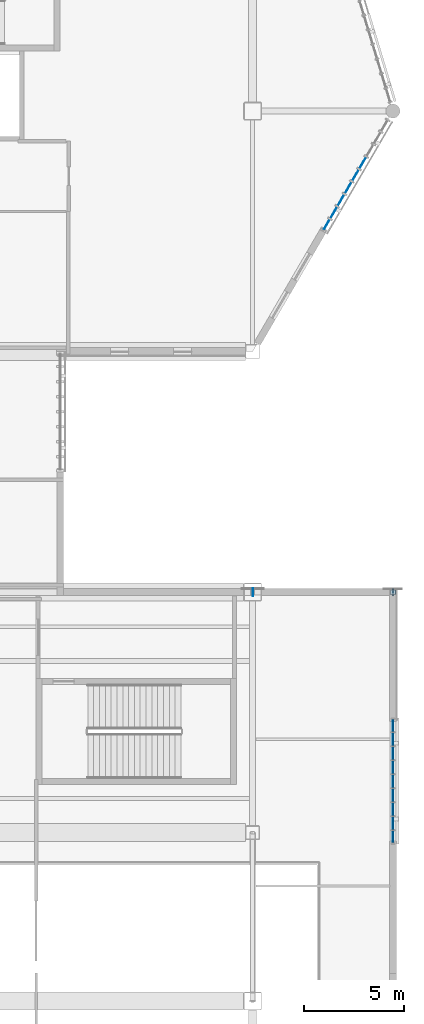
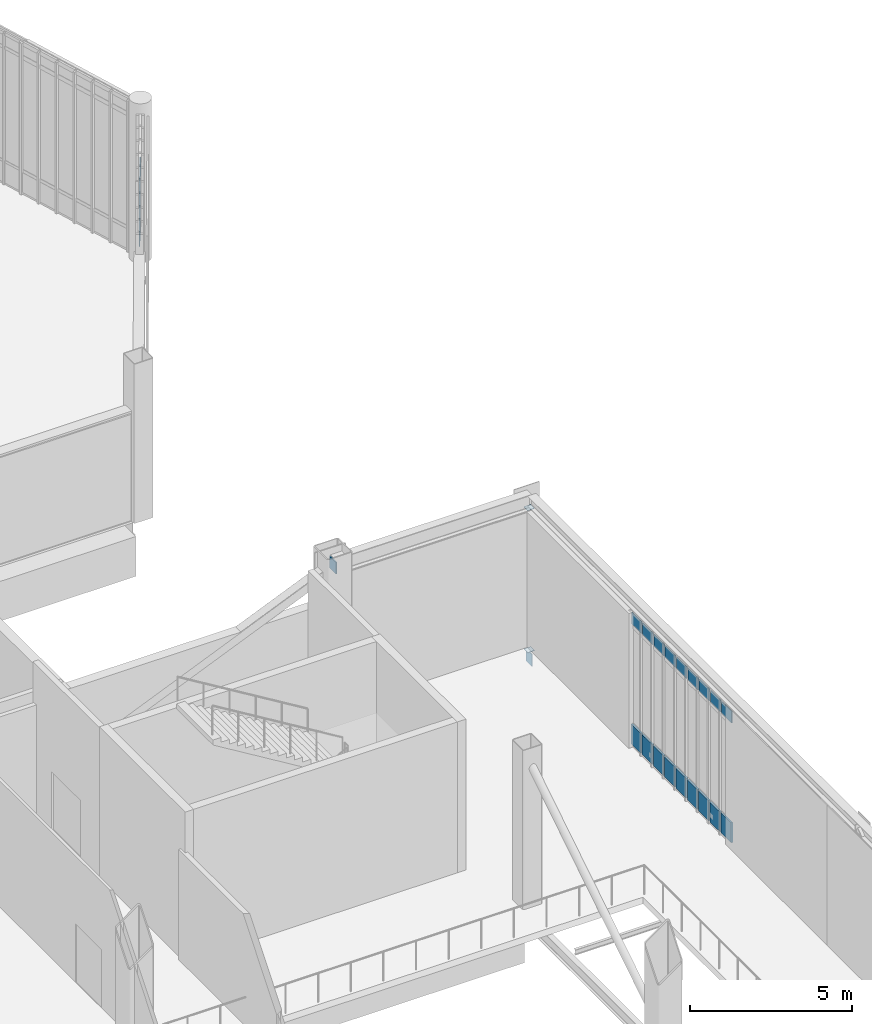
# One storey, part 104 of 135: 28 plates, 2 elements without a shape of their own.
"""IFC4 building model written with IfcOpenShell, lengths in metres."""

from ifc_helpers import new_model, si_unit, direction, frame, origin, origin_2d, place, context, subcontext, project, spatial, rectangle, extrude, material, layer, layer_set, type_object, element, aggregate, save


model = new_model("IFC4")

# Units and contexts
model_context = context("Model", 3, precision=1e-05, world=origin(), true_north=direction((0.0, 1.0)))
body_context = subcontext(model_context, "Body", "Model", "MODEL_VIEW")
ifc_project = project(units=[si_unit("LENGTHUNIT", "METRE"), si_unit("AREAUNIT", "SQUARE_METRE"), si_unit("VOLUMEUNIT", "CUBIC_METRE"), si_unit("PLANEANGLEUNIT", "RADIAN"), si_unit("MASSUNIT", "GRAM", prefix="KILO")], contexts=[model_context])

# Site, building, storey
site_placement = place(None, origin())
site = spatial("IfcSite", under=ifc_project, at=site_placement, CompositionType="ELEMENT")
building_placement = place(site_placement, origin())
building = spatial("IfcBuilding", under=site, at=building_placement, Name="Larkvane Passage Sports Hall", CompositionType="ELEMENT")
storey_placement = place(building_placement, frame((0.0, 0.0, 10.800048828125)))
storey = spatial("IfcBuildingStorey", under=building, at=storey_placement, Name="L02", CompositionType="ELEMENT", Elevation=10.800048828125)

# Curtain wall, plates
ifc_material_1 = material(Name="Thermally broken aluminium and low-E glazing", Category="aluminium")
curtain_wall_type_1 = type_object("IfcCurtainWallType", Name="CW-UNIT-COURT", PredefinedType="USERDEFINED", material=ifc_material_1)
curtain_wall_1_placement = place(storey_placement, origin())
curtain_wall_1 = element("IfcCurtainWall", 1, at=curtain_wall_1_placement, inside=storey, type_object=curtain_wall_type_1, Name="Curtain wall CW5-L02-072", ObjectType="UNITISED CURTAIN WALL", PredefinedType="USERDEFINED")
ifc_material_2 = material(Name="Insulated aluminium spandrel panel", Category="aluminium")
ifc_layer_1 = layer(ifc_material_2, 0.06494140625)
ifc_layer_set_1 = layer_set([ifc_layer_1], Name="Insulated aluminium spandrel panel")
plate_type_1 = type_object("IfcPlateType", Name="CWP-SPD-65", PredefinedType="CURTAIN_PANEL", material=ifc_layer_set_1)
plate_1_placement = place(storey_placement, frame((152.60009765625, 44.94873046875, 0.06494140625), z_axis=(0.0, 0.0, 1.0), x_axis=(0.0, -1.0, 0.0)))
plate_1 = element("IfcPlate", 2, at=plate_1_placement, type_object=plate_type_1, Name="CW-01 panel 1.1", PredefinedType="CURTAIN_PANEL", context=body_context, shape_type="SweptSolid", body=[
    extrude(rectangle(XDim=0.600830078125, YDim=0.06494140625, at=origin_2d()), origin(), (0.0, 0.0, 1.0), 0.75244140625),
])
plate_2_placement = place(storey_placement, frame((152.60009765625, 44.2666015625, 0.06494140625), z_axis=(0.0, 0.0, 1.0), x_axis=(0.0, -1.0, 0.0)))
plate_2 = element("IfcPlate", 3, at=plate_2_placement, type_object=plate_type_1, Name="CW-01 panel 2.1", PredefinedType="CURTAIN_PANEL", context=body_context, shape_type="SweptSolid", body=[
    extrude(rectangle(XDim=0.63330078125, YDim=0.06494140625, at=origin_2d()), origin(), (0.0, 0.0, 1.0), 0.75244140625),
])
plate_3_placement = place(storey_placement, frame((152.60009765625, 43.568359375, 0.06494140625), z_axis=(0.0, 0.0, 1.0), x_axis=(0.0, -1.0, 0.0)))
plate_3 = element("IfcPlate", 4, at=plate_3_placement, type_object=plate_type_1, Name="CW-01 panel 3.1", PredefinedType="CURTAIN_PANEL", context=body_context, shape_type="SweptSolid", body=[
    extrude(rectangle(XDim=0.63330078125, YDim=0.06494140625, at=origin_2d()), origin(), (0.0, 0.0, 1.0), 0.75244140625),
])
plate_4_placement = place(storey_placement, frame((152.60009765625, 42.869873046875, 0.06494140625), z_axis=(0.0, 0.0, 1.0), x_axis=(0.0, -1.0, 0.0)))
plate_4 = element("IfcPlate", 5, at=plate_4_placement, type_object=plate_type_1, Name="CW-01 panel 4.1", PredefinedType="CURTAIN_PANEL", context=body_context, shape_type="SweptSolid", body=[
    extrude(rectangle(XDim=0.63330078125, YDim=0.06494140625, at=origin_2d()), origin(), (0.0, 0.0, 1.0), 0.75244140625),
])
plate_5_placement = place(storey_placement, frame((152.60009765625, 42.17138671875, 0.06494140625), z_axis=(0.0, 0.0, 1.0), x_axis=(0.0, -1.0, 0.0)))
plate_5 = element("IfcPlate", 6, at=plate_5_placement, type_object=plate_type_1, Name="CW-01 panel 5.1", PredefinedType="CURTAIN_PANEL", context=body_context, shape_type="SweptSolid", body=[
    extrude(rectangle(XDim=0.63330078125, YDim=0.06494140625, at=origin_2d()), origin(), (0.0, 0.0, 1.0), 0.75244140625),
])
plate_6_placement = place(storey_placement, frame((152.60009765625, 41.47314453125, 0.06494140625), z_axis=(0.0, 0.0, 1.0), x_axis=(0.0, -1.0, 0.0)))
plate_6 = element("IfcPlate", 7, at=plate_6_placement, type_object=plate_type_1, Name="CW-01 panel 6.1", PredefinedType="CURTAIN_PANEL", context=body_context, shape_type="SweptSolid", body=[
    extrude(rectangle(XDim=0.63330078125, YDim=0.06494140625, at=origin_2d()), origin(), (0.0, 0.0, 1.0), 0.75244140625),
])
plate_7_placement = place(storey_placement, frame((152.60009765625, 40.774658203125, 0.06494140625), z_axis=(0.0, 0.0, 1.0), x_axis=(0.0, -1.0, 0.0)))
plate_7 = element("IfcPlate", 8, at=plate_7_placement, type_object=plate_type_1, Name="CW-01 panel 7.1", PredefinedType="CURTAIN_PANEL", context=body_context, shape_type="SweptSolid", body=[
    extrude(rectangle(XDim=0.63330078125, YDim=0.06494140625, at=origin_2d()), origin(), (0.0, 0.0, 1.0), 0.75244140625),
])
plate_8_placement = place(storey_placement, frame((152.60009765625, 40.076171875, 0.06494140625), z_axis=(0.0, 0.0, 1.0), x_axis=(0.0, -1.0, 0.0)))
plate_8 = element("IfcPlate", 9, at=plate_8_placement, type_object=plate_type_1, Name="CW-01 panel 8.1", PredefinedType="CURTAIN_PANEL", context=body_context, shape_type="SweptSolid", body=[
    extrude(rectangle(XDim=0.63330078125, YDim=0.06494140625, at=origin_2d()), origin(), (0.0, 0.0, 1.0), 0.75244140625),
])
plate_9_placement = place(storey_placement, frame((152.60009765625, 39.39404296875, 0.06494140625), z_axis=(0.0, 0.0, 1.0), x_axis=(0.0, -1.0, 0.0)))
plate_9 = element("IfcPlate", 10, at=plate_9_placement, type_object=plate_type_1, Name="CW-01 panel 9.1", PredefinedType="CURTAIN_PANEL", context=body_context, shape_type="SweptSolid", body=[
    extrude(rectangle(XDim=0.600830078125, YDim=0.06494140625, at=origin_2d()), origin(), (0.0, 0.0, 1.0), 0.75244140625),
])
ifc_material_3 = material(Name="Solar-control low-E double glazing", Category="glass")
ifc_layer_2 = layer(ifc_material_3, 0.028076171875)
ifc_layer_set_2 = layer_set([ifc_layer_2], Name="Solar-control low-E double glazing")
plate_type_2 = type_object("IfcPlateType", Name="CWP-VIS-28", PredefinedType="CURTAIN_PANEL", material=ifc_layer_set_2)
plate_10_placement = place(storey_placement, frame((152.60009765625, 44.94873046875, 4.5625), z_axis=(0.0, 0.0, 1.0), x_axis=(0.0, -1.0, 0.0)))
plate_10 = element("IfcPlate", 11, at=plate_10_placement, type_object=plate_type_2, Name="CW-01 panel 1.3", PredefinedType="CURTAIN_PANEL", context=body_context, shape_type="SweptSolid", body=[
    extrude(rectangle(XDim=0.600830078125, YDim=0.028076171875, at=origin_2d()), origin(), (0.0, 0.0, 1.0), 0.452392578125),
])
plate_11_placement = place(storey_placement, frame((152.60009765625, 44.2666015625, 4.5625), z_axis=(0.0, 0.0, 1.0), x_axis=(0.0, -1.0, 0.0)))
plate_11 = element("IfcPlate", 12, at=plate_11_placement, type_object=plate_type_2, Name="CW-01 panel 2.3", PredefinedType="CURTAIN_PANEL", context=body_context, shape_type="SweptSolid", body=[
    extrude(rectangle(XDim=0.63330078125, YDim=0.028076171875, at=origin_2d()), origin(), (0.0, 0.0, 1.0), 0.452392578125),
])
plate_12_placement = place(storey_placement, frame((152.60009765625, 43.568359375, 4.5625), z_axis=(0.0, 0.0, 1.0), x_axis=(0.0, -1.0, 0.0)))
plate_12 = element("IfcPlate", 13, at=plate_12_placement, type_object=plate_type_2, Name="CW-01 panel 3.3", PredefinedType="CURTAIN_PANEL", context=body_context, shape_type="SweptSolid", body=[
    extrude(rectangle(XDim=0.63330078125, YDim=0.028076171875, at=origin_2d()), origin(), (0.0, 0.0, 1.0), 0.452392578125),
])
plate_13_placement = place(storey_placement, frame((152.60009765625, 42.869873046875, 4.5625), z_axis=(0.0, 0.0, 1.0), x_axis=(0.0, -1.0, 0.0)))
plate_13 = element("IfcPlate", 14, at=plate_13_placement, type_object=plate_type_2, Name="CW-01 panel 4.3", PredefinedType="CURTAIN_PANEL", context=body_context, shape_type="SweptSolid", body=[
    extrude(rectangle(XDim=0.63330078125, YDim=0.028076171875, at=origin_2d()), origin(), (0.0, 0.0, 1.0), 0.452392578125),
])
plate_14_placement = place(storey_placement, frame((152.60009765625, 42.17138671875, 4.5625), z_axis=(0.0, 0.0, 1.0), x_axis=(0.0, -1.0, 0.0)))
plate_14 = element("IfcPlate", 15, at=plate_14_placement, type_object=plate_type_2, Name="CW-01 panel 5.3", PredefinedType="CURTAIN_PANEL", context=body_context, shape_type="SweptSolid", body=[
    extrude(rectangle(XDim=0.63330078125, YDim=0.028076171875, at=origin_2d()), origin(), (0.0, 0.0, 1.0), 0.452392578125),
])
plate_15_placement = place(storey_placement, frame((152.60009765625, 41.47314453125, 4.5625), z_axis=(0.0, 0.0, 1.0), x_axis=(0.0, -1.0, 0.0)))
plate_15 = element("IfcPlate", 16, at=plate_15_placement, type_object=plate_type_2, Name="CW-01 panel 6.3", PredefinedType="CURTAIN_PANEL", context=body_context, shape_type="SweptSolid", body=[
    extrude(rectangle(XDim=0.63330078125, YDim=0.028076171875, at=origin_2d()), origin(), (0.0, 0.0, 1.0), 0.452392578125),
])
plate_16_placement = place(storey_placement, frame((152.60009765625, 40.774658203125, 4.5625), z_axis=(0.0, 0.0, 1.0), x_axis=(0.0, -1.0, 0.0)))
plate_16 = element("IfcPlate", 17, at=plate_16_placement, type_object=plate_type_2, Name="CW-01 panel 7.3", PredefinedType="CURTAIN_PANEL", context=body_context, shape_type="SweptSolid", body=[
    extrude(rectangle(XDim=0.63330078125, YDim=0.028076171875, at=origin_2d()), origin(), (0.0, 0.0, 1.0), 0.452392578125),
])
plate_17_placement = place(storey_placement, frame((152.60009765625, 40.076171875, 4.5625), z_axis=(0.0, 0.0, 1.0), x_axis=(0.0, -1.0, 0.0)))
plate_17 = element("IfcPlate", 18, at=plate_17_placement, type_object=plate_type_2, Name="CW-01 panel 8.3", PredefinedType="CURTAIN_PANEL", context=body_context, shape_type="SweptSolid", body=[
    extrude(rectangle(XDim=0.63330078125, YDim=0.028076171875, at=origin_2d()), origin(), (0.0, 0.0, 1.0), 0.452392578125),
])
plate_18_placement = place(storey_placement, frame((152.60009765625, 39.39404296875, 4.5625), z_axis=(0.0, 0.0, 1.0), x_axis=(0.0, -1.0, 0.0)))
plate_18 = element("IfcPlate", 19, at=plate_18_placement, type_object=plate_type_2, Name="CW-01 panel 9.3", PredefinedType="CURTAIN_PANEL", context=body_context, shape_type="SweptSolid", body=[
    extrude(rectangle(XDim=0.600830078125, YDim=0.028076171875, at=origin_2d()), origin(), (0.0, 0.0, 1.0), 0.452392578125),
])
aggregate(curtain_wall_1, [plate_1, plate_10, plate_2, plate_11, plate_3, plate_12, plate_4, plate_13, plate_5, plate_14, plate_6, plate_15, plate_7, plate_16, plate_8, plate_17, plate_9, plate_18])

curtain_wall_type_2 = type_object("IfcCurtainWallType", Name="CW-STICK-FOYER", PredefinedType="USERDEFINED", material=ifc_material_1)
curtain_wall_2_placement = place(storey_placement, origin())
curtain_wall_2 = element("IfcCurtainWall", 20, at=curtain_wall_2_placement, inside=storey, type_object=curtain_wall_type_2, Name="Curtain wall CW5-L02-070", ObjectType="STICK CURTAIN WALL", PredefinedType="USERDEFINED")
ifc_material_4 = material(Name="High-impact court low-E glazing", Category="glass")
ifc_layer_3 = layer(ifc_material_4, 0.035888671875)
ifc_layer_set_3 = layer_set([ifc_layer_3], Name="High-impact court low-E glazing")
plate_type_3 = type_object("IfcPlateType", Name="CWP-VIS-36", PredefinedType="CURTAIN_PANEL", material=ifc_layer_set_3)
plate_19_placement = place(storey_placement, frame((151.0927734375, 73.01611328125, 5.18994140625), z_axis=(0.0, 0.0, 1.0), x_axis=(-0.503867182467, -0.86378114267, 0.0)))
plate_19 = element("IfcPlate", 21, at=plate_19_placement, type_object=plate_type_3, Name="CW-03 panel 4.3", PredefinedType="CURTAIN_PANEL", context=body_context, shape_type="SweptSolid", body=[
    extrude(rectangle(XDim=0.63916015625, YDim=0.035888671875, at=origin_2d()), origin(), (0.0, 0.0, 1.0), 0.429931640625),
])
plate_20_placement = place(storey_placement, frame((150.73046875, 72.39501953125, 5.18994140625), z_axis=(0.0, 0.0, 1.0), x_axis=(-0.503867182467, -0.86378114267, 0.0)))
plate_20 = element("IfcPlate", 22, at=plate_20_placement, type_object=plate_type_3, Name="CW-03 panel 5.3", PredefinedType="CURTAIN_PANEL", context=body_context, shape_type="SweptSolid", body=[
    extrude(rectangle(XDim=0.63916015625, YDim=0.035888671875, at=origin_2d()), origin(), (0.0, 0.0, 1.0), 0.429931640625),
])
plate_21_placement = place(storey_placement, frame((150.3681640625, 71.77392578125, 5.18994140625), z_axis=(0.0, 0.0, 1.0), x_axis=(-0.503867182467, -0.86378114267, 0.0)))
plate_21 = element("IfcPlate", 23, at=plate_21_placement, type_object=plate_type_3, Name="CW-03 panel 6.3", PredefinedType="CURTAIN_PANEL", context=body_context, shape_type="SweptSolid", body=[
    extrude(rectangle(XDim=0.63916015625, YDim=0.035888671875, at=origin_2d()), origin(), (0.0, 0.0, 1.0), 0.429931640625),
])
plate_22_placement = place(storey_placement, frame((150.005859375, 71.15283203125, 5.18994140625), z_axis=(0.0, 0.0, 1.0), x_axis=(-0.503867182467, -0.86378114267, 0.0)))
plate_22 = element("IfcPlate", 24, at=plate_22_placement, type_object=plate_type_3, Name="CW-03 panel 7.3", PredefinedType="CURTAIN_PANEL", context=body_context, shape_type="SweptSolid", body=[
    extrude(rectangle(XDim=0.63916015625, YDim=0.035888671875, at=origin_2d()), origin(), (0.0, 0.0, 1.0), 0.429931640625),
])
plate_23_placement = place(storey_placement, frame((149.6435546875, 70.53173828125, 5.18994140625), z_axis=(0.0, 0.0, 1.0), x_axis=(-0.503867182467, -0.86378114267, 0.0)))
plate_23 = element("IfcPlate", 25, at=plate_23_placement, type_object=plate_type_3, Name="CW-03 panel 8.3", PredefinedType="CURTAIN_PANEL", context=body_context, shape_type="SweptSolid", body=[
    extrude(rectangle(XDim=0.63916015625, YDim=0.035888671875, at=origin_2d()), origin(), (0.0, 0.0, 1.0), 0.429931640625),
])
plate_24_placement = place(storey_placement, frame((149.291259765625, 69.927734375, 5.18994140625), z_axis=(0.0, 0.0, 1.0), x_axis=(-0.503867182467, -0.86378114267, 0.0)))
plate_24 = element("IfcPlate", 26, at=plate_24_placement, type_object=plate_type_3, Name="CW-03 panel 9.3", PredefinedType="CURTAIN_PANEL", context=body_context, shape_type="SweptSolid", body=[
    extrude(rectangle(XDim=0.59912109375, YDim=0.035888671875, at=origin_2d()), origin(), (0.0, 0.0, 1.0), 0.429931640625),
])
aggregate(curtain_wall_2, [plate_19, plate_20, plate_21, plate_22, plate_23, plate_24])

# Plates
ifc_material_5 = material(Name="Steel S355JR", Category="steel")
ifc_layer_4 = layer(ifc_material_5, 0.011962890625)
ifc_layer_set_4 = layer_set([ifc_layer_4], Name="Steel S355JR")
plate_type_4 = type_object("IfcPlateType", Name="PLT-CAP-12", PredefinedType="SHEET", material=ifc_layer_set_4)
for number, where, z_axis, x_axis, name in (
    (27, (152.60009765625, 51.60009765625, -0.26220703125), (0.0, 0.0, 1.0), (1.0, 0.0, 0.0), "Hollow section sealed end cap plate 0176"),
    (28, (152.60009765625, 51.60009765625, 5.091796875), (0.0, 0.0, 1.0), (1.0, 0.0, 0.0), "Hollow section sealed end cap plate 0177"),
):
    element("IfcPlate", number, at=place(storey_placement, frame(where, z_axis=z_axis, x_axis=x_axis)), inside=storey, type_object=plate_type_4, Name=name, PredefinedType="SHEET", context=body_context, shape_type="SweptSolid", body=[
        extrude(rectangle(XDim=0.239990234375, YDim=0.239990234375, at=origin_2d()), origin(), (0.0, 0.0, 1.0), 0.011962890625),
    ])
ifc_material_6 = material(Name="Steel S460N", Category="steel")
ifc_layer_5 = layer(ifc_material_6, 0.02001953125)
ifc_layer_set_5 = layer_set([ifc_layer_5], Name="Steel S460N")
plate_type_5 = type_object("IfcPlateType", Name="PLT-CAP-20", PredefinedType="SHEET", material=ifc_layer_set_5)
plate_25_placement = place(storey_placement, frame((145.609130859375, 51.60009765625, 5.169921875), z_axis=(0.0, 0.0, 1.0), x_axis=(0.0, 1.0, 0.0)))
element("IfcPlate", 29, at=plate_25_placement, inside=storey, type_object=plate_type_5, Name="Hollow section sealed end cap plate 0174", PredefinedType="SHEET", context=body_context, shape_type="SweptSolid", body=[
    extrude(rectangle(XDim=0.409912109375, YDim=0.028076171875, at=origin_2d()), origin(), (0.0, 0.0, 1.0), 0.43994140625),
])
plate_26_placement = place(storey_placement, frame((152.607666015625, 51.60009765625, -0.77685546875), z_axis=(0.0, 0.0, 1.0), x_axis=(0.0, 1.0, 0.0)))
element("IfcPlate", 30, at=plate_26_placement, inside=storey, type_object=plate_type_5, Name="Hollow section sealed end cap plate 0175", PredefinedType="SHEET", context=body_context, shape_type="SweptSolid", body=[
    extrude(rectangle(XDim=0.360107421875, YDim=0.028076171875, at=origin_2d()), origin(), (0.0, 0.0, 1.0), 0.452880859375),
])

save(model, "model.ifc")
